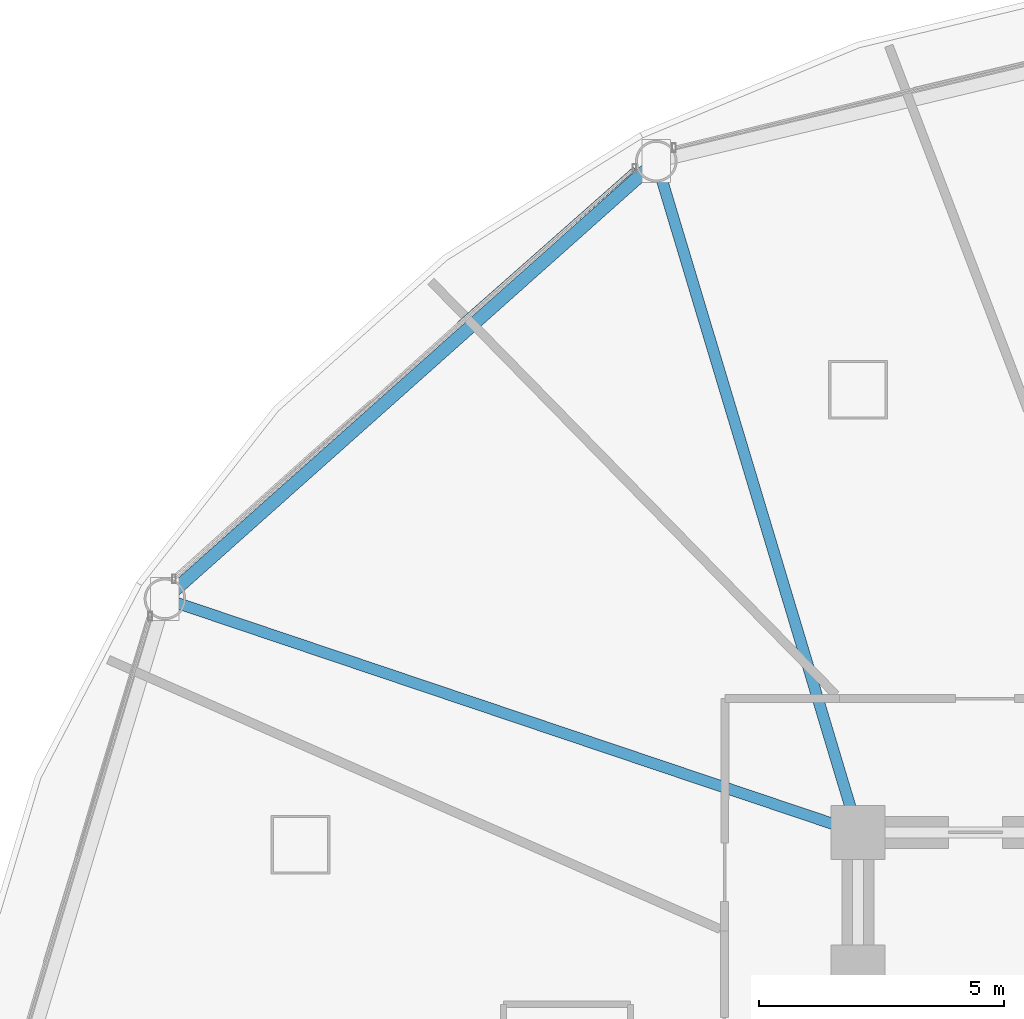
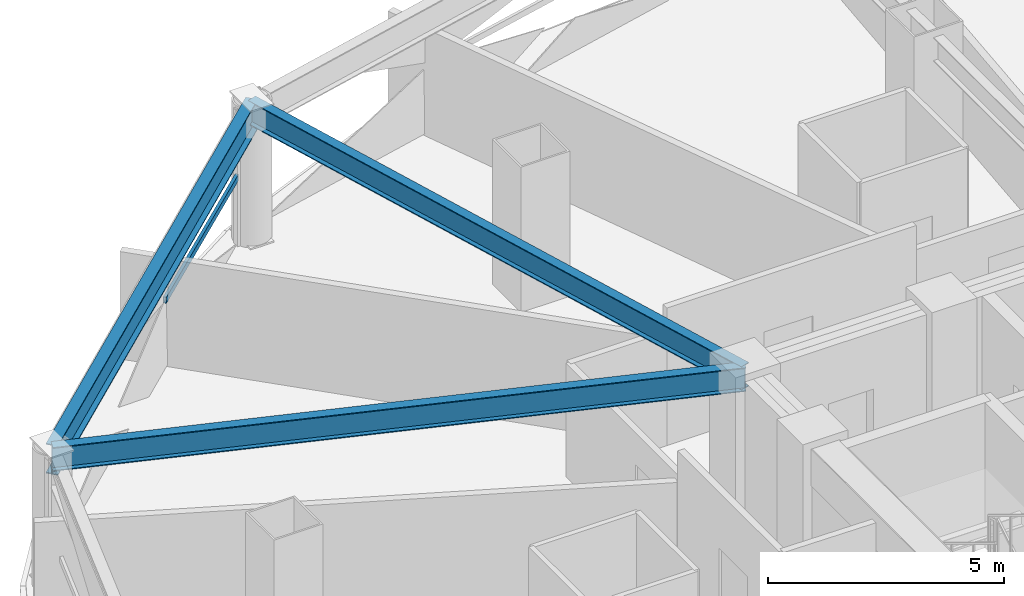
# One storey, part 14 of 29: 3 beams, 1 member, 1 element without a shape of its own.
"""IFC4 building model written with IfcOpenShell, lengths in metres."""

from ifc_helpers import new_model, si_unit, direction, frame, origin, origin_2d, place, context, subcontext, project, spatial, hollow_rectangle, i_section, extrude, material, layer, layer_set, material_profile, profile_set, type_object, element, aggregate, save


model = new_model("IFC4")

# Units and contexts
model_context = context("Model", 3, precision=1e-05, world=origin(), true_north=direction((0.0, 1.0)))
body_context = subcontext(model_context, "Body", "Model", "MODEL_VIEW")
ifc_project = project(units=[si_unit("LENGTHUNIT", "METRE"), si_unit("AREAUNIT", "SQUARE_METRE"), si_unit("VOLUMEUNIT", "CUBIC_METRE"), si_unit("PLANEANGLEUNIT", "RADIAN"), si_unit("MASSUNIT", "GRAM", prefix="KILO")], contexts=[model_context])

# Site, building, storey
site_placement = place(None, origin())
site = spatial("IfcSite", under=ifc_project, at=site_placement, CompositionType="ELEMENT")
building_placement = place(site_placement, origin())
building = spatial("IfcBuilding", under=site, at=building_placement, Name="Vantalir Tower", CompositionType="ELEMENT")
storey_placement = place(building_placement, frame((0.0, 0.0, 60.75)))
storey = spatial("IfcBuildingStorey", under=building, at=storey_placement, Name="L14", CompositionType="ELEMENT", Elevation=60.75)

# Beams
ifc_material_1 = material(Name="Steel S355", Category="steel")
ifc_material_profile_1 = material_profile(ifc_material_1, i_section(OverallWidth=0.22998046875, OverallDepth=0.616943359375, WebThickness=0.01318359375, FlangeThickness=0.022216796875, at=origin_2d()), Name="Steel S355")
ifc_profile_set_1 = profile_set([ifc_material_profile_1], Name="Steel S355")
beam_type_1 = type_object("IfcBeamType", Name="BM-RB-610x229", PredefinedType="BEAM", material=ifc_profile_set_1)
beam_1_placement = place(storey_placement, frame((17.77490234375, 46.175048828125, 3.261962890625), z_axis=(0.287826084552, -0.957682695391, 0.0), x_axis=(0.957682695391, 0.287826084552, 0.0)))
element("IfcBeam", 1, at=beam_1_placement, inside=storey, type_object=beam_type_1, Name="L14 Radial Floor Beam 05", PredefinedType="BEAM", context=body_context, shape_type="SweptSolid", body=[
    extrude(i_section(OverallWidth=0.22998046875, OverallDepth=0.616943359375, WebThickness=0.01318359375, FlangeThickness=0.022216796875, at=origin_2d()), origin(), (0.0, 0.0, 1.0), 14.33154296875),
])
beam_2_placement = place(storey_placement, frame((7.72705078125, 37.22509765625, 3.261962890625), z_axis=(0.947658091823, -0.319286925825, 0.0), x_axis=(0.319286925825, 0.947658091823, 0.0)))
element("IfcBeam", 2, at=beam_2_placement, inside=storey, type_object=beam_type_1, Name="L14 Radial Floor Beam 06", PredefinedType="BEAM", context=body_context, shape_type="SweptSolid", body=[
    extrude(i_section(OverallWidth=0.22998046875, OverallDepth=0.616943359375, WebThickness=0.01318359375, FlangeThickness=0.022216796875, at=origin_2d()), origin(), (0.0, 0.0, 1.0), 14.95556640625),
])
ifc_material_2 = material(Name="Steel S460", Category="steel")
ifc_material_profile_2 = material_profile(ifc_material_2, i_section(OverallWidth=0.26806640625, OverallDepth=0.77001953125, WebThickness=0.015625, FlangeThickness=0.025390625, at=origin_2d()), Name="Steel S460")
ifc_profile_set_2 = profile_set([ifc_material_profile_2], Name="Steel S460")
beam_type_2 = type_object("IfcBeamType", Name="BM-RG-762x267", PredefinedType="USERDEFINED", material=ifc_profile_set_2)
beam_3_placement = place(storey_placement, frame((17.77490234375, 46.175048828125, 3.18505859375), z_axis=(-0.746725215396, -0.665132657965, 0.0), x_axis=(0.665132657965, -0.746725215396, 0.0)))
element("IfcBeam", 3, at=beam_3_placement, inside=storey, type_object=beam_type_2, Name="L14 Circumferential Ring Girder 05", ObjectType="GIRDER", PredefinedType="USERDEFINED", context=body_context, shape_type="SweptSolid", body=[
    extrude(i_section(OverallWidth=0.26806640625, OverallDepth=0.77001953125, WebThickness=0.015625, FlangeThickness=0.025390625, at=origin_2d()), origin(), (0.0, 0.0, 1.0), 13.455810546875),
])

# Curtain wall, member
ifc_material_3 = material(Name="Champagne-silver PVDF aluminium and double-silver Low-E glass", Category="aluminium")
ifc_layer = layer(ifc_material_3, 0.18994140625)
ifc_layer_set = layer_set([ifc_layer], Name="Champagne-silver PVDF aluminium and double-silver Low-E glass")
curtain_wall_type = type_object("IfcCurtainWallType", Name="CW-DIAMOND-Z1", PredefinedType="USERDEFINED", material=ifc_layer_set)
curtain_wall_placement = place(storey_placement, origin())
curtain_wall = element("IfcCurtainWall", 4, at=curtain_wall_placement, inside=storey, type_object=curtain_wall_type, Name="L14 Quilted Pyramid-Diamond Curtain Wall S05", ObjectType="UNITISED CURTAIN WALL", PredefinedType="USERDEFINED")
ifc_material_4 = material(Name="Champagne-silver PVDF aluminium 6063-T6", Category="aluminium")
ifc_material_profile_3 = material_profile(ifc_material_4, hollow_rectangle(XDim=0.074951171875, YDim=0.159912109375, WallThickness=0.00390625, at=origin_2d()), Name="Champagne-silver PVDF aluminium 6063-T6")
ifc_profile_set_3 = profile_set([ifc_material_profile_3], Name="Champagne-silver PVDF aluminium 6063-T6")
member_type = type_object("IfcMemberType", Name="CWT-160x75", PredefinedType="USERDEFINED", material=ifc_profile_set_3)
member_placement = place(storey_placement, frame((17.3291015625, 46.027099609375, 1.784912109375), z_axis=(-0.74975018667, -0.661720981675, 0.0), x_axis=(0.661720981675, -0.74975018667, 0.0)))
member = element("IfcMember", 5, at=member_placement, type_object=member_type, Name="CW-L14-S05 Pyramid Fold Ridge Transom", ObjectType="TRANSOM", PredefinedType="USERDEFINED", context=body_context, shape_type="SweptSolid", body=[
    extrude(hollow_rectangle(XDim=0.074951171875, YDim=0.159912109375, WallThickness=0.00390625, at=origin_2d()), origin(), (0.0, 0.0, 1.0), 4.795166015625),
])
aggregate(curtain_wall, [member])

save(model, "model.ifc")
